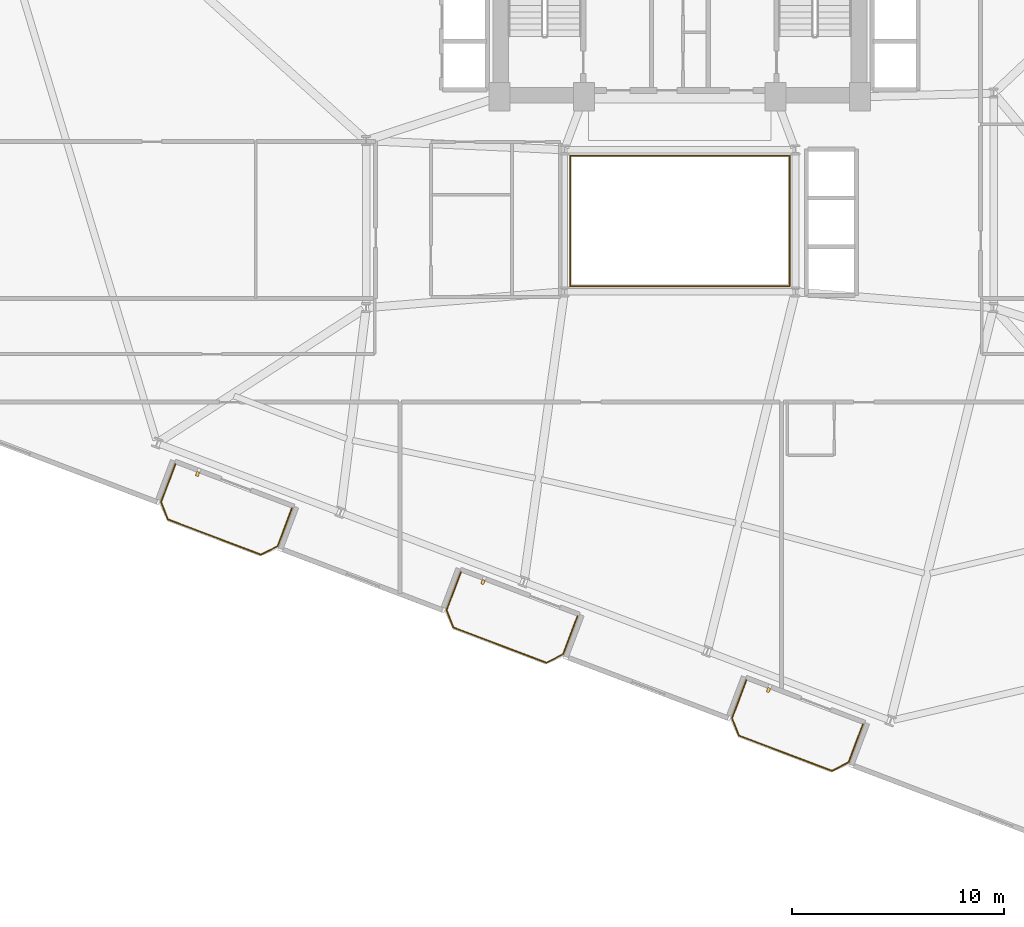
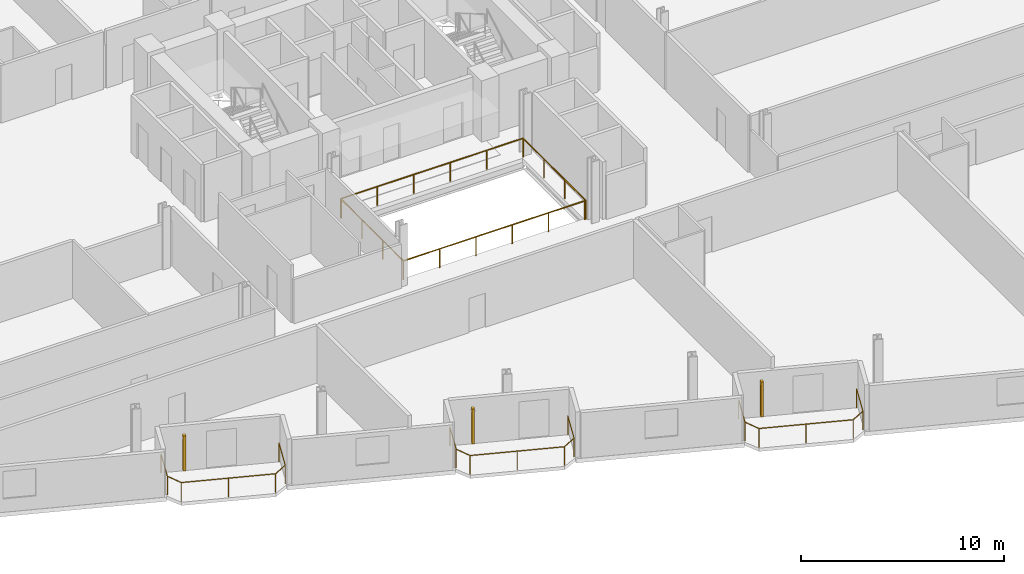
# One storey, part 23 of 25: 5 railings, 3 shading devices.
"""IFC4 building model written with IfcOpenShell, lengths in metres."""

from ifc_helpers import new_model, si_unit, direction, frame, origin, origin_2d, place, context, subcontext, project, spatial, rectangle, circle, extrude, source, transform, mapped, material, type_object, element, save


model = new_model("IFC4")

# Units and contexts
model_context = context("Model", 3, precision=1e-05, world=origin(), true_north=direction((0.0, 1.0)))
body_context = subcontext(model_context, "Body", "Model", "MODEL_VIEW")
ifc_project = project(units=[si_unit("LENGTHUNIT", "METRE"), si_unit("AREAUNIT", "SQUARE_METRE"), si_unit("VOLUMEUNIT", "CUBIC_METRE"), si_unit("PLANEANGLEUNIT", "RADIAN"), si_unit("MASSUNIT", "GRAM", prefix="KILO")], contexts=[model_context])

# Site, building, storey
site_placement = place(None, origin())
site = spatial("IfcSite", under=ifc_project, at=site_placement, CompositionType="ELEMENT")
building_placement = place(site_placement, origin())
building = spatial("IfcBuilding", under=site, at=building_placement, Name="Varnelok Gate Tower", CompositionType="ELEMENT")
storey_placement = place(building_placement, frame((0.0, 0.0, 91.0)))
storey = spatial("IfcBuildingStorey", under=building, at=storey_placement, Name="L22", CompositionType="ELEMENT", Elevation=91.0)

# Railings
ifc_material_1 = material(Name="Tempered Laminated Balustrade Glass", Category="glass")
railing_type_1 = type_object("IfcRailingType", Name="RL-ATR-GUARD1150", PredefinedType="GUARDRAIL", material=ifc_material_1)
railing_1_placement = place(storey_placement, frame((34.02001953125, 25.929931640625, 0.0)))
element("IfcRailing", 1, at=railing_1_placement, inside=storey, type_object=railing_type_1, Name="L22 Internal Atrium South-West Guardrail", PredefinedType="GUARDRAIL", context=body_context, shape_type="SweptSolid", body=[
    extrude(circle(Radius=0.02392578125, at=origin_2d()), frame((0.0, 0.0, 1.1259765625), z_axis=(0.0, -1.0, 0.0), x_axis=(1.0, 0.0, 0.0)), (0.0, 0.0, 1.0), 6.10986328125),
    extrude(circle(Radius=0.02392578125, at=origin_2d()), frame((0.0, -6.10986328125, 1.1259765625), z_axis=(1.0, 0.0, 0.0), x_axis=(0.0, 1.0, 0.0)), (0.0, 0.0, 1.0), 10.31005859375),
    extrude(circle(Radius=0.02099609375, at=origin_2d()), origin(), (0.0, 0.0, 1.0), 1.101806640625),
    extrude(circle(Radius=0.02099609375, at=origin_2d()), frame((0.0, -2.03662109375, 0.0)), (0.0, 0.0, 1.0), 1.101806640625),
    extrude(circle(Radius=0.02099609375, at=origin_2d()), frame((0.0, -4.0732421875, 0.0)), (0.0, 0.0, 1.0), 1.101806640625),
    extrude(circle(Radius=0.02099609375, at=origin_2d()), frame((0.0, -6.10986328125, 0.0)), (0.0, 0.0, 1.0), 1.101806640625),
    extrude(circle(Radius=0.02099609375, at=origin_2d()), frame((2.06201171875, -6.10986328125, 0.0)), (0.0, 0.0, 1.0), 1.101806640625),
    extrude(circle(Radius=0.02099609375, at=origin_2d()), frame((4.1240234375, -6.10986328125, 0.0)), (0.0, 0.0, 1.0), 1.101806640625),
    extrude(circle(Radius=0.02099609375, at=origin_2d()), frame((6.18603515625, -6.10986328125, 0.0)), (0.0, 0.0, 1.0), 1.101806640625),
    extrude(circle(Radius=0.02099609375, at=origin_2d()), frame((8.248046875, -6.10986328125, 0.0)), (0.0, 0.0, 1.0), 1.101806640625),
    extrude(circle(Radius=0.02099609375, at=origin_2d()), frame((10.31005859375, -6.10986328125, 0.0)), (0.0, 0.0, 1.0), 1.101806640625),
])
railing_2_placement = place(storey_placement, frame((44.3798828125, 19.820068359375, 0.0)))
element("IfcRailing", 2, at=railing_2_placement, inside=storey, type_object=railing_type_1, Name="L22 Internal Atrium North-East Guardrail", PredefinedType="GUARDRAIL", context=body_context, shape_type="SweptSolid", body=[
    extrude(circle(Radius=0.02392578125, at=origin_2d()), frame((0.0, 0.0, 1.1259765625), z_axis=(0.0, 1.0, 0.0), x_axis=(-1.0, 0.0, 0.0)), (0.0, 0.0, 1.0), 6.159912109375),
    extrude(circle(Radius=0.02392578125, at=origin_2d()), frame((0.0, 6.159912109375, 1.1259765625), z_axis=(-1.0, 0.0, 0.0), x_axis=(0.0, -1.0, 0.0)), (0.0, 0.0, 1.0), 10.35986328125),
    extrude(circle(Radius=0.02099609375, at=origin_2d()), origin(), (0.0, 0.0, 1.0), 1.101806640625),
    extrude(circle(Radius=0.02099609375, at=origin_2d()), frame((0.0, 2.05322265625, 0.0)), (0.0, 0.0, 1.0), 1.101806640625),
    extrude(circle(Radius=0.02099609375, at=origin_2d()), frame((0.0, 4.106689453125, 0.0)), (0.0, 0.0, 1.0), 1.101806640625),
    extrude(circle(Radius=0.02099609375, at=origin_2d()), frame((0.0, 6.159912109375, 0.0)), (0.0, 0.0, 1.0), 1.101806640625),
    extrude(circle(Radius=0.02099609375, at=origin_2d()), frame((-2.072021484375, 6.159912109375, 0.0)), (0.0, 0.0, 1.0), 1.101806640625),
    extrude(circle(Radius=0.02099609375, at=origin_2d()), frame((-4.14404296875, 6.159912109375, 0.0)), (0.0, 0.0, 1.0), 1.101806640625),
    extrude(circle(Radius=0.02099609375, at=origin_2d()), frame((-6.2158203125, 6.159912109375, 0.0)), (0.0, 0.0, 1.0), 1.101806640625),
    extrude(circle(Radius=0.02099609375, at=origin_2d()), frame((-8.287841796875, 6.159912109375, 0.0)), (0.0, 0.0, 1.0), 1.101806640625),
    extrude(circle(Radius=0.02099609375, at=origin_2d()), frame((-10.35986328125, 6.159912109375, 0.0)), (0.0, 0.0, 1.0), 1.101806640625),
])
ifc_material_2 = material(Name="Low-E Laminated Double Glazing IGU", Category="glass")
railing_type_2 = type_object("IfcRailingType", Name="RL-BALC-1150", PredefinedType="BALUSTRADE", material=ifc_material_2)
railing_3_placement = place(storey_placement, frame((15.40625, 11.42578125, 0.0)))
element("IfcRailing", 3, at=railing_3_placement, inside=storey, type_object=railing_type_2, Name="L22 South Terrace Balustrade 1", PredefinedType="BALUSTRADE", context=body_context, shape_type="SweptSolid", body=[
    extrude(circle(Radius=0.02392578125, at=origin_2d()), frame((0.0, 0.0, 1.1259765625), z_axis=(-0.354006333352, -0.935243025073, 0.0), x_axis=(0.935243025073, -0.354006333352, 0.0)), (0.0, 0.0, 1.0), 1.919921875),
    extrude(circle(Radius=0.02392578125, at=origin_2d()), frame((-0.6796875, -1.795654296875, 1.1259765625), z_axis=(0.366254584666, -0.930514685113, 0.0), x_axis=(0.930514685113, 0.366254584666, 0.0)), (0.0, 0.0, 1.0), 0.8779296875),
    extrude(circle(Radius=0.02392578125, at=origin_2d()), frame((-0.358154296875, -2.612548828125, 1.1259765625), z_axis=(0.935223045203, -0.354059113314, 0.0), x_axis=(0.354059113314, 0.935223045203, 0.0)), (0.0, 0.0, 1.0), 4.699951171875),
    extrude(circle(Radius=0.02392578125, at=origin_2d()), frame((4.037353515625, -4.276611328125, 1.1259765625), z_axis=(0.89078254773, 0.454429810487, 0.0), x_axis=(-0.454429810487, 0.89078254773, 0.0)), (0.0, 0.0, 1.0), 0.8779296875),
    extrude(circle(Radius=0.02392578125, at=origin_2d()), frame((4.8193359375, -3.877685546875, 1.1259765625), z_axis=(0.354117547856, 0.935200920819, 0.0), x_axis=(-0.935200920819, 0.354117547856, 0.0)), (0.0, 0.0, 1.0), 1.920166015625),
    extrude(circle(Radius=0.02099609375, at=origin_2d()), origin(), (0.0, 0.0, 1.0), 1.101806640625),
    extrude(circle(Radius=0.02099609375, at=origin_2d()), frame((-0.6796875, -1.795654296875, 0.0)), (0.0, 0.0, 1.0), 1.101806640625),
    extrude(circle(Radius=0.02099609375, at=origin_2d()), frame((-0.358154296875, -2.612548828125, 0.0)), (0.0, 0.0, 1.0), 1.101806640625),
    extrude(circle(Radius=0.02099609375, at=origin_2d()), frame((1.839599609375, -3.444580078125, 0.0)), (0.0, 0.0, 1.0), 1.101806640625),
    extrude(circle(Radius=0.02099609375, at=origin_2d()), frame((4.037353515625, -4.276611328125, 0.0)), (0.0, 0.0, 1.0), 1.101806640625),
    extrude(circle(Radius=0.02099609375, at=origin_2d()), frame((4.8193359375, -3.877685546875, 0.0)), (0.0, 0.0, 1.0), 1.101806640625),
    extrude(circle(Radius=0.02099609375, at=origin_2d()), frame((5.499267578125, -2.08203125, 0.0)), (0.0, 0.0, 1.0), 1.101806640625),
])
railing_4_placement = place(storey_placement, frame((28.87353515625, 6.3271484375, 0.0)))
element("IfcRailing", 4, at=railing_4_placement, inside=storey, type_object=railing_type_2, Name="L22 South Terrace Balustrade 2", PredefinedType="BALUSTRADE", context=body_context, shape_type="SweptSolid", body=[
    extrude(circle(Radius=0.02392578125, at=origin_2d()), frame((0.0, 0.0, 1.1259765625), z_axis=(-0.354117547856, -0.935200920819, 0.0), x_axis=(0.935200920819, -0.354117547856, 0.0)), (0.0, 0.0, 1.0), 1.920166015625),
    extrude(circle(Radius=0.02392578125, at=origin_2d()), frame((-0.679931640625, -1.795654296875, 1.1259765625), z_axis=(0.36659018357, -0.930382522036, 0.0), x_axis=(0.930382522036, 0.36659018357, 0.0)), (0.0, 0.0, 1.0), 0.877685546875),
    extrude(circle(Radius=0.02392578125, at=origin_2d()), frame((-0.358154296875, -2.6123046875, 1.1259765625), z_axis=(0.935223045203, -0.354059113314, 0.0), x_axis=(0.354059113314, 0.935223045203, 0.0)), (0.0, 0.0, 1.0), 4.699951171875),
    extrude(circle(Radius=0.02392578125, at=origin_2d()), frame((4.037353515625, -4.2763671875, 1.1259765625), z_axis=(0.89078254773, 0.454429810487, 0.0), x_axis=(-0.454429810487, 0.89078254773, 0.0)), (0.0, 0.0, 1.0), 0.8779296875),
    extrude(circle(Radius=0.02392578125, at=origin_2d()), frame((4.8193359375, -3.87744140625, 1.1259765625), z_axis=(0.354006333352, 0.935243025073, 0.0), x_axis=(-0.935243025073, 0.354006333352, 0.0)), (0.0, 0.0, 1.0), 1.919921875),
    extrude(circle(Radius=0.02099609375, at=origin_2d()), origin(), (0.0, 0.0, 1.0), 1.101806640625),
    extrude(circle(Radius=0.02099609375, at=origin_2d()), frame((-0.679931640625, -1.795654296875, 0.0)), (0.0, 0.0, 1.0), 1.101806640625),
    extrude(circle(Radius=0.02099609375, at=origin_2d()), frame((-0.358154296875, -2.6123046875, 0.0)), (0.0, 0.0, 1.0), 1.101806640625),
    extrude(circle(Radius=0.02099609375, at=origin_2d()), frame((1.839599609375, -3.4443359375, 0.0)), (0.0, 0.0, 1.0), 1.101806640625),
    extrude(circle(Radius=0.02099609375, at=origin_2d()), frame((4.037353515625, -4.2763671875, 0.0)), (0.0, 0.0, 1.0), 1.101806640625),
    extrude(circle(Radius=0.02099609375, at=origin_2d()), frame((4.8193359375, -3.87744140625, 0.0)), (0.0, 0.0, 1.0), 1.101806640625),
    extrude(circle(Radius=0.02099609375, at=origin_2d()), frame((5.4990234375, -2.081787109375, 0.0)), (0.0, 0.0, 1.0), 1.101806640625),
])
railing_5_placement = place(storey_placement, frame((42.3408203125, 1.228759765625, 0.0)))
element("IfcRailing", 5, at=railing_5_placement, inside=storey, type_object=railing_type_2, Name="L22 South Terrace Balustrade 3", PredefinedType="BALUSTRADE", context=body_context, shape_type="SweptSolid", body=[
    extrude(circle(Radius=0.02392578125, at=origin_2d()), frame((0.0, 0.0, 1.1259765625), z_axis=(-0.354117547856, -0.935200920819, 0.0), x_axis=(0.935200920819, -0.354117547856, 0.0)), (0.0, 0.0, 1.0), 1.920166015625),
    extrude(circle(Radius=0.02392578125, at=origin_2d()), frame((-0.679931640625, -1.795654296875, 1.1259765625), z_axis=(0.366254584666, -0.930514685113, 0.0), x_axis=(0.930514685113, 0.366254584666, 0.0)), (0.0, 0.0, 1.0), 0.8779296875),
    extrude(circle(Radius=0.02392578125, at=origin_2d()), frame((-0.3583984375, -2.612548828125, 1.1259765625), z_axis=(0.935229556479, -0.354041913744, 0.0), x_axis=(0.354041913744, 0.935229556479, 0.0)), (0.0, 0.0, 1.0), 4.7001953125),
    extrude(circle(Radius=0.02392578125, at=origin_2d()), frame((4.037353515625, -4.276611328125, 1.1259765625), z_axis=(0.890612455555, 0.454763074589, 0.0), x_axis=(-0.454763074589, 0.890612455555, 0.0)), (0.0, 0.0, 1.0), 0.877685546875),
    extrude(circle(Radius=0.02392578125, at=origin_2d()), frame((4.819091796875, -3.87744140625, 1.1259765625), z_axis=(0.354159661475, 0.935184973245, 0.0), x_axis=(-0.935184973245, 0.354159661475, 0.0)), (0.0, 0.0, 1.0), 1.919921875),
    extrude(circle(Radius=0.02099609375, at=origin_2d()), origin(), (0.0, 0.0, 1.0), 1.101806640625),
    extrude(circle(Radius=0.02099609375, at=origin_2d()), frame((-0.679931640625, -1.795654296875, 0.0)), (0.0, 0.0, 1.0), 1.101806640625),
    extrude(circle(Radius=0.02099609375, at=origin_2d()), frame((-0.3583984375, -2.612548828125, 0.0)), (0.0, 0.0, 1.0), 1.101806640625),
    extrude(circle(Radius=0.02099609375, at=origin_2d()), frame((1.83935546875, -3.444580078125, 0.0)), (0.0, 0.0, 1.0), 1.101806640625),
    extrude(circle(Radius=0.02099609375, at=origin_2d()), frame((4.037353515625, -4.276611328125, 0.0)), (0.0, 0.0, 1.0), 1.101806640625),
    extrude(circle(Radius=0.02099609375, at=origin_2d()), frame((4.819091796875, -3.87744140625, 0.0)), (0.0, 0.0, 1.0), 1.101806640625),
    extrude(circle(Radius=0.02099609375, at=origin_2d()), frame((5.4990234375, -2.08203125, 0.0)), (0.0, 0.0, 1.0), 1.101806640625),
])

# Shading devices
ifc_material_3 = material(Name="Glazed Architectural Terracotta Ceramic", Category="masonry")
shading_device_type = type_object("IfcShadingDeviceType", Name="SHD-TERRA-BAGUETTE", PredefinedType="USERDEFINED", material=ifc_material_3)
shared_shape = source(origin(), body_context, "Body", "SweptSolid", [
    extrude(rectangle(XDim=0.139892578125, YDim=0.219970703125, at=origin_2d()), origin(), (0.0, 0.0, 1.0), 2.10009765625),
])
for number, where, z_axis, x_axis, name in (
    (6, (16.44775390625, 10.95654296875, 0.099853515625), (0.0, 0.0, 1.0), (0.935221751401, -0.354062530786, 0.0), "L22 Terracotta Ceramic Baguette Sunscreen 1.1"),
    (7, (29.914794921875, 5.858154296875, 0.099853515625), (0.0, 0.0, 1.0), (0.935221751401, -0.354062530786, 0.0), "L22 Terracotta Ceramic Baguette Sunscreen 2.1"),
    (8, (43.382080078125, 0.759521484375, 0.099853515625), (0.0, 0.0, 1.0), (0.935221751401, -0.354062530786, 0.0), "L22 Terracotta Ceramic Baguette Sunscreen 3.1"),
):
    element("IfcShadingDevice", number, at=place(storey_placement, frame(where, z_axis=z_axis, x_axis=x_axis)), inside=storey, type_object=shading_device_type, Name=name, ObjectType="BAGUETTE", PredefinedType="USERDEFINED", context=body_context, shape_type="MappedRepresentation", body=[
        mapped(shared_shape, transform((0.0, 0.0, 0.0), scale=1.0)),
    ])

save(model, "model.ifc")
